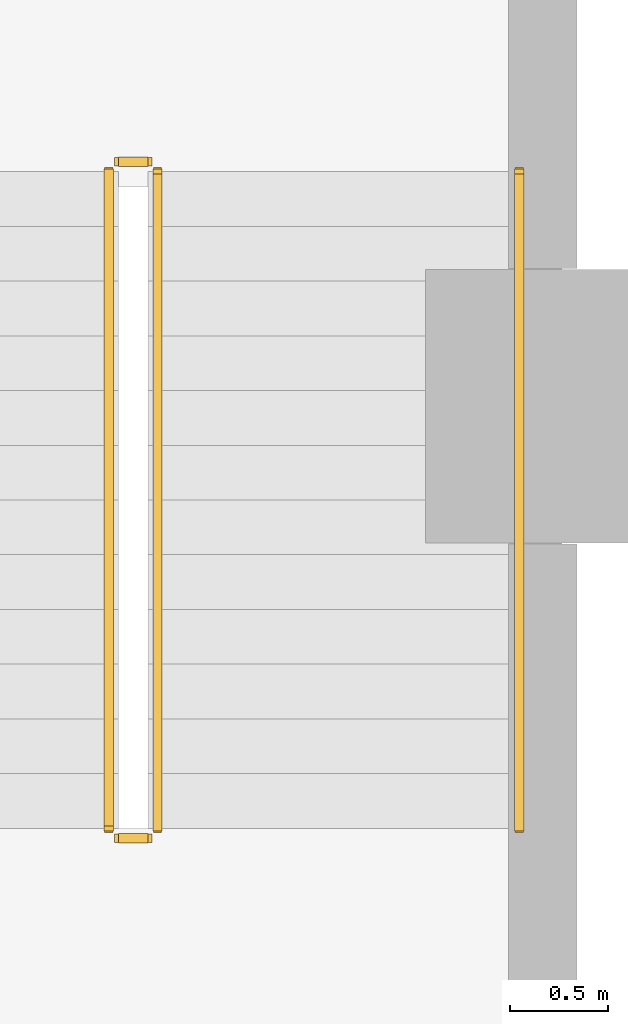
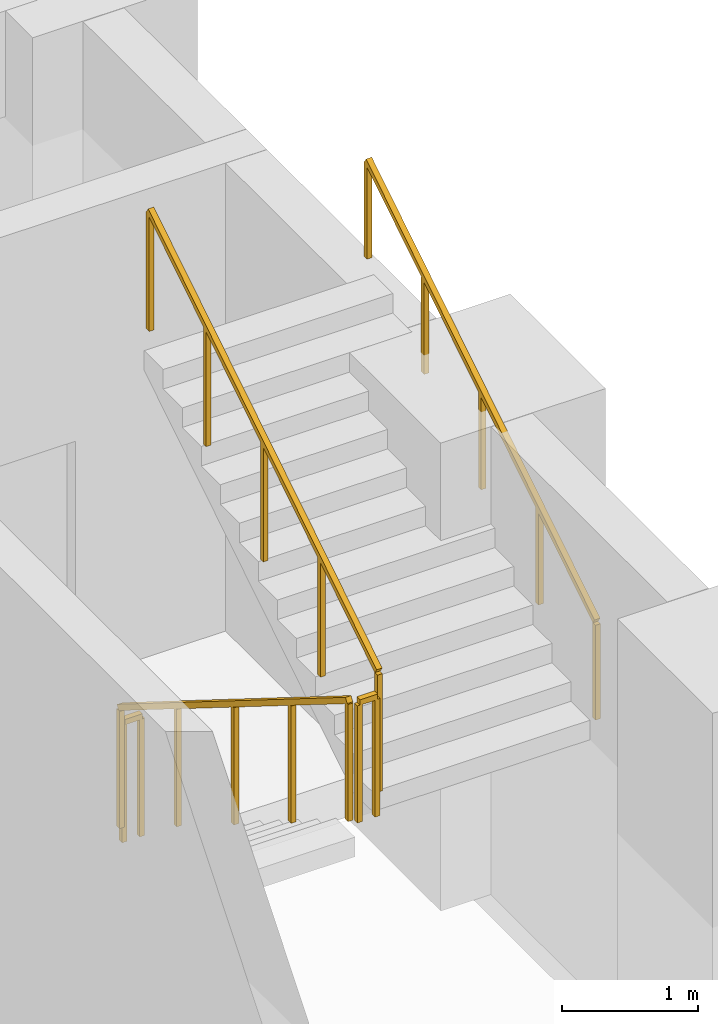
# One storey, part 13 of 14: 5 railings.
"""IFC4 building model written with IfcOpenShell, lengths in metres."""

from ifc_helpers import new_model, si_unit, direction, frame, origin, origin_2d, place, context, subcontext, project, spatial, rectangle, extrude, material, type_object, element, save


model = new_model("IFC4")

# Units and contexts
model_context = context("Model", 3, precision=1e-05, world=origin(), true_north=direction((0.0, 1.0)))
body_context = subcontext(model_context, "Body", "Model", "MODEL_VIEW")
ifc_project = project(units=[si_unit("LENGTHUNIT", "METRE"), si_unit("AREAUNIT", "SQUARE_METRE"), si_unit("VOLUMEUNIT", "CUBIC_METRE"), si_unit("PLANEANGLEUNIT", "RADIAN"), si_unit("MASSUNIT", "GRAM", prefix="KILO")], contexts=[model_context])

# Site, building, storey
site_placement = place(None, origin())
site = spatial("IfcSite", under=ifc_project, at=site_placement, CompositionType="ELEMENT")
building_placement = place(site_placement, origin())
building = spatial("IfcBuilding", under=site, at=building_placement, Name="Zulmaris Gate Convention Tower", CompositionType="ELEMENT")
storey_placement = place(building_placement, frame((0.0, 0.0, -4.550048828125)))
storey = spatial("IfcBuildingStorey", under=building, at=storey_placement, Name="B1", CompositionType="ELEMENT", Elevation=-4.550048828125)

# Railings
ifc_material_1 = material(Name="Painted Galvanised Steel", Category="steel")
railing_type_1 = type_object("IfcRailingType", Name="RL-STG-1150", PredefinedType="GUARDRAIL", material=ifc_material_1)
railing_1_placement = place(storey_placement, frame((31.679931640625, -20.800048828125, 0.175048828125)))
element("IfcRailing", 1, at=railing_1_placement, inside=storey, type_object=railing_type_1, Name="B1 ST-6 stair guard 1", PredefinedType="GUARDRAIL", context=body_context, shape_type="SweptSolid", body=[
    extrude(rectangle(XDim=0.048095703125, YDim=0.048095703125, at=origin_2d()), frame((0.0, 0.0, 1.076171875), z_axis=(0.0, -0.847977533471, 0.530032171408), x_axis=(1.0, 0.0, 0.0)), (0.0, 0.0, 1.0), 3.962158203125),
    extrude(rectangle(XDim=0.0419921875, YDim=0.0419921875, at=origin_2d()), origin(), (0.0, 0.0, 1.0), 1.052001953125),
    extrude(rectangle(XDim=0.0419921875, YDim=0.0419921875, at=origin_2d()), frame((0.0, -0.83984375, 0.52490234375)), (0.0, 0.0, 1.0), 1.052001953125),
    extrude(rectangle(XDim=0.0419921875, YDim=0.0419921875, at=origin_2d()), frame((0.0, -1.679931640625, 1.050048828125)), (0.0, 0.0, 1.0), 1.052001953125),
    extrude(rectangle(XDim=0.0419921875, YDim=0.0419921875, at=origin_2d()), frame((0.0, -2.52001953125, 1.5751953125)), (0.0, 0.0, 1.0), 1.052001953125),
    extrude(rectangle(XDim=0.0419921875, YDim=0.0419921875, at=origin_2d()), frame((0.0, -3.35986328125, 2.10009765625)), (0.0, 0.0, 1.0), 1.052001953125),
])
railing_2_placement = place(storey_placement, frame((31.72998046875, -24.2099609375, 2.275146484375)))
element("IfcRailing", 2, at=railing_2_placement, inside=storey, type_object=railing_type_1, Name="B1 ST-6 stair guard 2", PredefinedType="GUARDRAIL", context=body_context, shape_type="SweptSolid", body=[
    extrude(rectangle(XDim=0.048095703125, YDim=0.048095703125, at=origin_2d()), frame((0.0, 0.0, 1.076171875), z_axis=(1.0, 0.0, 0.0), x_axis=(0.0, 1.0, 0.0)), (0.0, 0.0, 1.0), 0.14990234375),
    extrude(rectangle(XDim=0.0419921875, YDim=0.0419921875, at=origin_2d()), origin(), (0.0, 0.0, 1.0), 1.052001953125),
    extrude(rectangle(XDim=0.0419921875, YDim=0.0419921875, at=origin_2d()), frame((0.14990234375, 0.0, 0.0)), (0.0, 0.0, 1.0), 1.052001953125),
])
railing_3_placement = place(storey_placement, frame((31.929931640625, -24.159912109375, 2.449951171875)))
element("IfcRailing", 3, at=railing_3_placement, inside=storey, type_object=railing_type_1, Name="B1 ST-6 stair guard 3", PredefinedType="GUARDRAIL", context=body_context, shape_type="SweptSolid", body=[
    extrude(rectangle(XDim=0.048095703125, YDim=0.048095703125, at=origin_2d()), frame((0.0, 0.0, 1.076171875), z_axis=(0.0, 0.847977533471, 0.530032171408), x_axis=(-1.0, 0.0, 0.0)), (0.0, 0.0, 1.0), 3.962158203125),
    extrude(rectangle(XDim=0.0419921875, YDim=0.0419921875, at=origin_2d()), origin(), (0.0, 0.0, 1.0), 1.052001953125),
    extrude(rectangle(XDim=0.0419921875, YDim=0.0419921875, at=origin_2d()), frame((0.0, 0.83984375, 0.52490234375)), (0.0, 0.0, 1.0), 1.052001953125),
    extrude(rectangle(XDim=0.0419921875, YDim=0.0419921875, at=origin_2d()), frame((0.0, 1.679931640625, 1.050048828125)), (0.0, 0.0, 1.0), 1.052001953125),
    extrude(rectangle(XDim=0.0419921875, YDim=0.0419921875, at=origin_2d()), frame((0.0, 2.52001953125, 1.5751953125)), (0.0, 0.0, 1.0), 1.052001953125),
    extrude(rectangle(XDim=0.0419921875, YDim=0.0419921875, at=origin_2d()), frame((0.0, 3.35986328125, 2.10009765625)), (0.0, 0.0, 1.0), 1.052001953125),
])
railing_4_placement = place(storey_placement, frame((31.72998046875, -20.75, 0.0)))
element("IfcRailing", 4, at=railing_4_placement, inside=storey, type_object=railing_type_1, Name="B1 ST-6 stair guard 4", PredefinedType="GUARDRAIL", context=body_context, shape_type="SweptSolid", body=[
    extrude(rectangle(XDim=0.048095703125, YDim=0.048095703125, at=origin_2d()), frame((0.0, 0.0, 1.076171875), z_axis=(1.0, 0.0, 0.0), x_axis=(0.0, 1.0, 0.0)), (0.0, 0.0, 1.0), 0.14990234375),
    extrude(rectangle(XDim=0.0419921875, YDim=0.0419921875, at=origin_2d()), origin(), (0.0, 0.0, 1.0), 1.052001953125),
    extrude(rectangle(XDim=0.0419921875, YDim=0.0419921875, at=origin_2d()), frame((0.14990234375, 0.0, 0.0)), (0.0, 0.0, 1.0), 1.052001953125),
])
ifc_material_2 = material(Name="Brushed Stainless Steel", Category="steel")
railing_type_2 = type_object("IfcRailingType", Name="RL-STH-900", PredefinedType="HANDRAIL", material=ifc_material_2)
railing_5_placement = place(storey_placement, frame((33.780029296875, -24.159912109375, 2.449951171875)))
element("IfcRailing", 5, at=railing_5_placement, inside=storey, type_object=railing_type_2, Name="B1 ST-6 stair handrail 2", PredefinedType="HANDRAIL", context=body_context, shape_type="SweptSolid", body=[
    extrude(rectangle(XDim=0.048095703125, YDim=0.048095703125, at=origin_2d()), frame((0.0, 0.0, 0.8759765625), z_axis=(0.0, 0.847977533471, 0.530032171408), x_axis=(-1.0, 0.0, 0.0)), (0.0, 0.0, 1.0), 3.962158203125),
    extrude(rectangle(XDim=0.0419921875, YDim=0.0419921875, at=origin_2d()), origin(), (0.0, 0.0, 1.0), 0.851806640625),
    extrude(rectangle(XDim=0.0419921875, YDim=0.0419921875, at=origin_2d()), frame((0.0, 0.83984375, 0.52490234375)), (0.0, 0.0, 1.0), 0.851806640625),
    extrude(rectangle(XDim=0.0419921875, YDim=0.0419921875, at=origin_2d()), frame((0.0, 1.679931640625, 1.050048828125)), (0.0, 0.0, 1.0), 0.851806640625),
    extrude(rectangle(XDim=0.0419921875, YDim=0.0419921875, at=origin_2d()), frame((0.0, 2.52001953125, 1.5751953125)), (0.0, 0.0, 1.0), 0.851806640625),
    extrude(rectangle(XDim=0.0419921875, YDim=0.0419921875, at=origin_2d()), frame((0.0, 3.35986328125, 2.10009765625)), (0.0, 0.0, 1.0), 0.851806640625),
])

save(model, "model.ifc")
